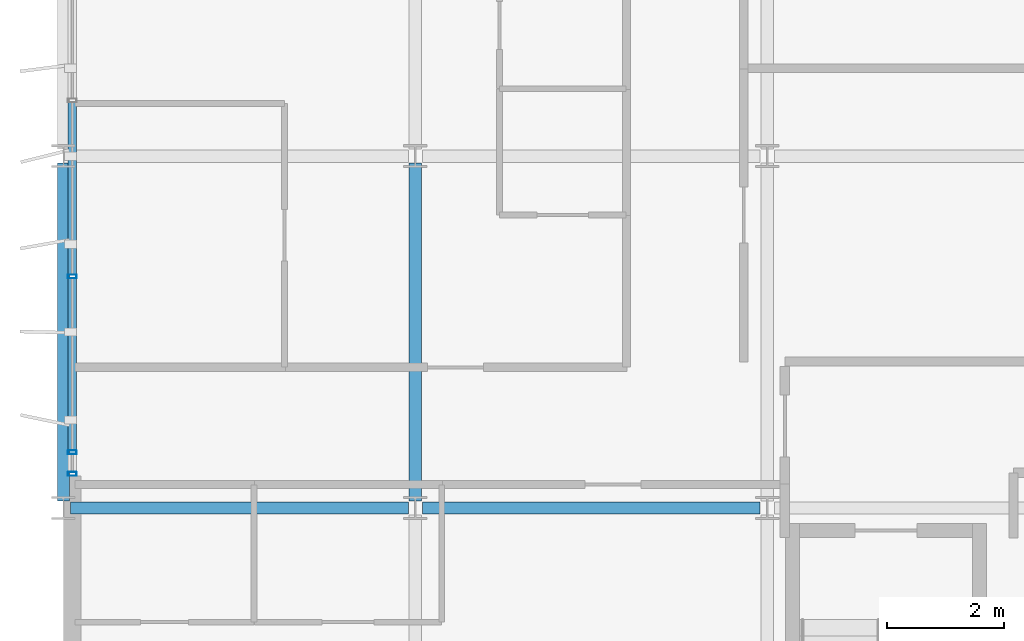
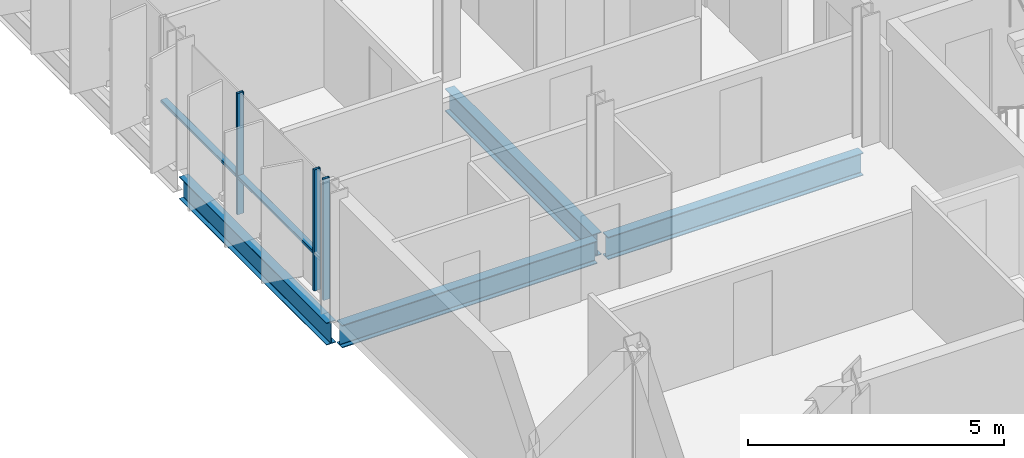
# One storey, part 3 of 29: 5 members, 4 beams, 1 element without a shape of its own.
"""IFC4 building model written with IfcOpenShell, lengths in metres."""

from ifc_helpers import new_model, si_unit, direction, frame, origin, origin_2d, place, context, subcontext, project, spatial, hollow_rectangle, i_section, extrude, material, layer, layer_set, material_profile, profile_set, type_object, element, aggregate, save


model = new_model("IFC4")

# Units and contexts
model_context = context("Model", 3, precision=1e-05, world=origin(), true_north=direction((0.0, 1.0)))
body_context = subcontext(model_context, "Body", "Model", "MODEL_VIEW")
ifc_project = project(units=[si_unit("LENGTHUNIT", "METRE"), si_unit("AREAUNIT", "SQUARE_METRE"), si_unit("VOLUMEUNIT", "CUBIC_METRE"), si_unit("PLANEANGLEUNIT", "RADIAN"), si_unit("MASSUNIT", "GRAM", prefix="KILO")], contexts=[model_context])

# Site, building, storey
site_placement = place(None, origin())
site = spatial("IfcSite", under=ifc_project, at=site_placement, CompositionType="ELEMENT")
building_placement = place(site_placement, origin())
building = spatial("IfcBuilding", under=site, at=building_placement, Name="Brevholm Reach", CompositionType="ELEMENT")
storey_placement = place(building_placement, frame((0.0, 0.0, 198.699951171875)))
storey = spatial("IfcBuildingStorey", under=building, at=storey_placement, Name="L60", CompositionType="ELEMENT", Elevation=198.699951171875)

# Beams
ifc_material_1 = material(Name="Structural Steel S355J2", Category="steel")
ifc_material_profile_1 = material_profile(ifc_material_1, i_section(OverallWidth=0.209228515625, OverallDepth=0.533203125, WebThickness=0.010009765625, FlangeThickness=0.015625, FilletRadius=0.0126953125, at=origin_2d()), Name="UKB 533x210x92")
ifc_profile_set_1 = profile_set([ifc_material_profile_1], Name="Structural Steel S355J2")
beam_type_1 = type_object("IfcBeamType", Name="BM-SP533", PredefinedType="SPANDREL", material=ifc_profile_set_1)
beam_placement = place(storey_placement, frame((0.0, 10.1201171875, -0.4765625), z_axis=(0.0, 1.0, 0.0), x_axis=(-1.0, 0.0, 0.0)))
element("IfcBeam", 1, at=beam_placement, inside=storey, type_object=beam_type_1, Name="L60 SP-02 Framing Beam", PredefinedType="SPANDREL", context=body_context, shape_type="SweptSolid", body=[
    extrude(i_section(OverallWidth=0.209228515625, OverallDepth=0.533203125, WebThickness=0.010009765625, FlangeThickness=0.015625, FilletRadius=0.0126953125, at=origin_2d()), origin(), (0.0, 0.0, 1.0), 5.759765625),
])
ifc_material_2 = material(Name="Structural Steel S355J2", Category="steel")
ifc_material_profile_2 = material_profile(ifc_material_2, i_section(OverallWidth=0.210693359375, OverallDepth=0.53955078125, WebThickness=0.01171875, FlangeThickness=0.018798828125, FilletRadius=0.0126953125, at=origin_2d()), Name="UKB 533x210x109")
ifc_profile_set_2 = profile_set([ifc_material_profile_2], Name="Structural Steel S355J2")
beam_type_2 = type_object("IfcBeamType", Name="BM-SP539", PredefinedType="SPANDREL", material=ifc_profile_set_2)
for number, where, z_axis, x_axis, name in (
    (2, (0.1201171875, 10.0, -0.479736328125), (1.0, 0.0, 0.0), (0.0, 1.0, 0.0), "L60 SP-01B Framing Beam"),
    (3, (6.1201171875, 10.0, -0.479736328125), (1.0, 0.0, 0.0), (0.0, 1.0, 0.0), "L60 SP-01B Framing Beam"),
    (4, (6.0, 10.1201171875, -0.479736328125), (0.0, 1.0, 0.0), (-1.0, 0.0, 0.0), "L60 SP-01B Framing Beam"),
):
    element("IfcBeam", number, at=place(storey_placement, frame(where, z_axis=z_axis, x_axis=x_axis)), inside=storey, type_object=beam_type_2, Name=name, PredefinedType="SPANDREL", context=body_context, shape_type="SweptSolid", body=[
        extrude(i_section(OverallWidth=0.210693359375, OverallDepth=0.53955078125, WebThickness=0.01171875, FlangeThickness=0.018798828125, FilletRadius=0.0126953125, at=origin_2d()), origin(), (0.0, 0.0, 1.0), 5.759765625),
    ])

# Curtain wall, members
ifc_material_3 = material(Name="Dark Anodised Aluminium 6063-T6 and Solar-Control Glass", Category="aluminium")
ifc_layer = layer(ifc_material_3, 0.14990234375)
ifc_layer_set = layer_set([ifc_layer], Name="Dark Anodised Aluminium 6063-T6 and Solar-Control Glass")
curtain_wall_type = type_object("IfcCurtainWallType", Name="CW-01", PredefinedType="NOTDEFINED", material=ifc_layer_set)
curtain_wall_placement = place(storey_placement, origin())
curtain_wall = element("IfcCurtainWall", 5, at=curtain_wall_placement, inside=storey, type_object=curtain_wall_type, Name="L60 Curtain Wall CW-01", PredefinedType="NOTDEFINED")
ifc_material_4 = material(Name="Dark Anodised Aluminium 6063-T6", Category="aluminium")
ifc_material_profile_3 = material_profile(ifc_material_4, hollow_rectangle(XDim=0.06494140625, YDim=0.14990234375, WallThickness=0.0048828125, InnerFilletRadius=0.0048828125, OuterFilletRadius=0.010009765625, at=origin_2d()), Name="RHS 150x65x5")
ifc_profile_set_3 = profile_set([ifc_material_profile_3], Name="Dark Anodised Aluminium 6063-T6")
member_type_1 = type_object("IfcMemberType", Name="CWM-150", PredefinedType="MULLION", material=ifc_profile_set_3)
member_1_placement = place(storey_placement, frame((0.14990234375, 13.949951171875, 0.0), z_axis=(0.0, 0.0, 1.0), x_axis=(0.0, -1.0, 0.0)))
member_1 = element("IfcMember", 6, at=member_1_placement, type_object=member_type_1, Name="CM-150 Mullion 4", PredefinedType="MULLION", context=body_context, shape_type="SweptSolid", body=[
    extrude(hollow_rectangle(XDim=0.06494140625, YDim=0.14990234375, WallThickness=0.0048828125, InnerFilletRadius=0.0048828125, OuterFilletRadius=0.010009765625, at=origin_2d()), origin(), (0.0, 0.0, 1.0), 2.89013671875),
])
member_2_placement = place(storey_placement, frame((0.14990234375, 10.949951171875, 0.0), z_axis=(0.0, 0.0, 1.0), x_axis=(0.0, -1.0, 0.0)))
member_2 = element("IfcMember", 7, at=member_2_placement, type_object=member_type_1, Name="CM-150 Mullion 5", PredefinedType="MULLION", context=body_context, shape_type="SweptSolid", body=[
    extrude(hollow_rectangle(XDim=0.06494140625, YDim=0.14990234375, WallThickness=0.0048828125, InnerFilletRadius=0.0048828125, OuterFilletRadius=0.010009765625, at=origin_2d()), origin(), (0.0, 0.0, 1.0), 2.89013671875),
])
member_3_placement = place(storey_placement, frame((0.14990234375, 10.58251953125, 0.0), z_axis=(0.0, 0.0, 1.0), x_axis=(0.0, -1.0, 0.0)))
member_3 = element("IfcMember", 8, at=member_3_placement, type_object=member_type_1, Name="CM-150 Mullion 6", PredefinedType="MULLION", context=body_context, shape_type="SweptSolid", body=[
    extrude(hollow_rectangle(XDim=0.06494140625, YDim=0.14990234375, WallThickness=0.0048828125, InnerFilletRadius=0.0048828125, OuterFilletRadius=0.010009765625, at=origin_2d()), origin(), (0.0, 0.0, 1.0), 2.89013671875),
])
ifc_material_5 = material(Name="Dark Anodised Aluminium 6063-T6", Category="aluminium")
ifc_material_profile_4 = material_profile(ifc_material_5, hollow_rectangle(XDim=0.06494140625, YDim=0.14990234375, WallThickness=0.0048828125, InnerFilletRadius=0.0048828125, OuterFilletRadius=0.010009765625, at=origin_2d()), Name="RHS 150x65x5")
ifc_profile_set_4 = profile_set([ifc_material_profile_4], Name="Dark Anodised Aluminium 6063-T6")
member_type_2 = type_object("IfcMemberType", Name="CWT-150", PredefinedType="NOTDEFINED", material=ifc_profile_set_4)
member_4_placement = place(storey_placement, frame((0.14990234375, 16.91748046875, 0.900146484375), z_axis=(0.0, -1.0, 0.0), x_axis=(0.0, 0.0, 1.0)))
member_4 = element("IfcMember", 9, at=member_4_placement, type_object=member_type_2, Name="CT-150 Transom 3.1", ObjectType="TRANSOM", PredefinedType="USERDEFINED", context=body_context, shape_type="SweptSolid", body=[
    extrude(hollow_rectangle(XDim=0.06494140625, YDim=0.14990234375, WallThickness=0.0048828125, InnerFilletRadius=0.0048828125, OuterFilletRadius=0.010009765625, at=origin_2d()), origin(), (0.0, 0.0, 1.0), 2.93505859375),
])
member_5_placement = place(storey_placement, frame((0.14990234375, 13.91748046875, 0.900146484375), z_axis=(0.0, -1.0, 0.0), x_axis=(0.0, 0.0, 1.0)))
member_5 = element("IfcMember", 10, at=member_5_placement, type_object=member_type_2, Name="CT-150 Transom 4.1", ObjectType="TRANSOM", PredefinedType="USERDEFINED", context=body_context, shape_type="SweptSolid", body=[
    extrude(hollow_rectangle(XDim=0.06494140625, YDim=0.14990234375, WallThickness=0.0048828125, InnerFilletRadius=0.0048828125, OuterFilletRadius=0.010009765625, at=origin_2d()), origin(), (0.0, 0.0, 1.0), 2.93505859375),
])
aggregate(curtain_wall, [member_1, member_2, member_3, member_4, member_5])

save(model, "model.ifc")
